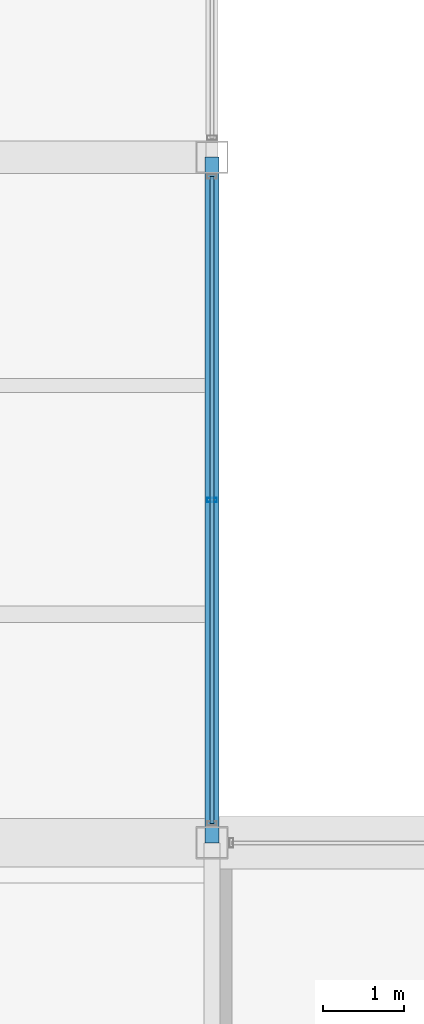
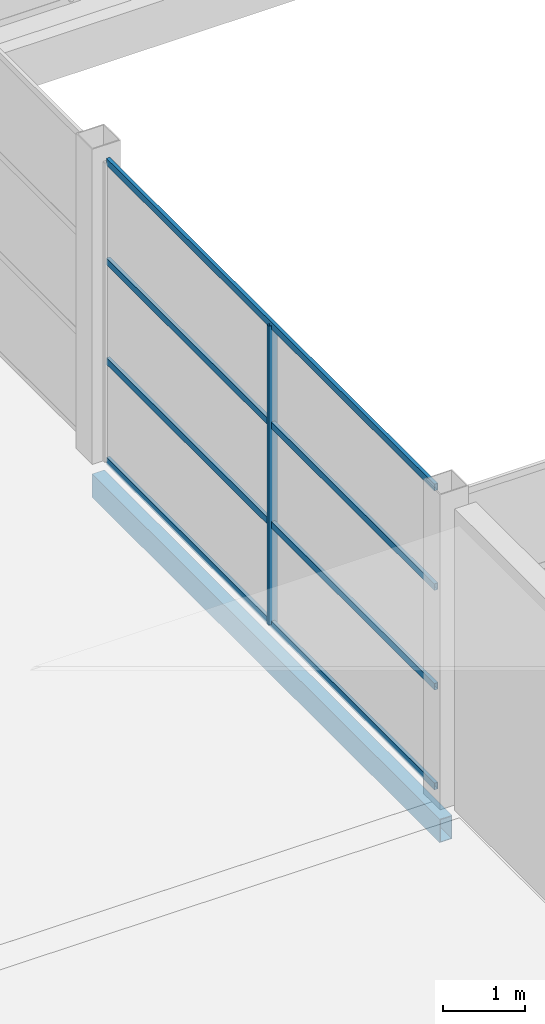
# One storey, part 66 of 112: 5 members, 1 beam, 1 element without a shape of its own.
"""IFC4 building model written with IfcOpenShell, lengths in metres."""

from ifc_helpers import new_model, si_unit, direction, frame, origin, origin_2d, place, context, subcontext, project, spatial, hollow_rectangle, extrude, material, material_profile, profile_set, type_object, element, aggregate, save


model = new_model("IFC4")

# Units and contexts
model_context = context("Model", 3, precision=1e-05, world=origin(), true_north=direction((0.0, 1.0)))
body_context = subcontext(model_context, "Body", "Model", "MODEL_VIEW")
ifc_project = project(units=[si_unit("LENGTHUNIT", "METRE"), si_unit("AREAUNIT", "SQUARE_METRE"), si_unit("VOLUMEUNIT", "CUBIC_METRE"), si_unit("PLANEANGLEUNIT", "RADIAN"), si_unit("MASSUNIT", "GRAM", prefix="KILO")], contexts=[model_context])

# Site, building, storey
site_placement = place(None, origin())
site = spatial("IfcSite", under=ifc_project, at=site_placement, CompositionType="ELEMENT")
building_placement = place(site_placement, origin())
building = spatial("IfcBuilding", under=site, at=building_placement, Name="Solvikara Media Centre", CompositionType="ELEMENT")
storey_placement = place(building_placement, frame((0.0, 0.0, 5.39990234375)))
storey = spatial("IfcBuildingStorey", under=building, at=storey_placement, Name="L01", CompositionType="ELEMENT", Elevation=5.39990234375)

# Beam
ifc_material_1 = material(Name="Steel S355JR", Category="steel")
ifc_material_profile_1 = material_profile(ifc_material_1, hollow_rectangle(XDim=0.175048828125, YDim=0.35009765625, WallThickness=0.010009765625, at=origin_2d()), Name="RHS 350x175x10")
ifc_profile_set_1 = profile_set([ifc_material_profile_1], Name="Steel S355JR")
beam_type = type_object("IfcBeamType", Name="BM-34", PredefinedType="SPANDREL", material=ifc_profile_set_1)
beam_placement = place(storey_placement, frame((136.5, 72.0, -0.476806640625), z_axis=(0.0, 1.0, 0.0), x_axis=(-1.0, 0.0, 0.0)))
element("IfcBeam", 1, at=beam_placement, inside=storey, type_object=beam_type, Name="B-L01-Y0616", PredefinedType="SPANDREL", context=body_context, shape_type="SweptSolid", body=[
    extrude(hollow_rectangle(XDim=0.175048828125, YDim=0.35009765625, WallThickness=0.010009765625, at=origin_2d()), origin(), (0.0, 0.0, 1.0), 8.5),
])

# Curtain wall, members
ifc_material_2 = material(Name="Anodised aluminium EN AW-6063", Category="aluminium")
curtain_wall_type = type_object("IfcCurtainWallType", Name="CW-12", PredefinedType="NOTDEFINED", material=ifc_material_2)
curtain_wall_placement = place(storey_placement, origin())
curtain_wall = element("IfcCurtainWall", 2, at=curtain_wall_placement, inside=storey, type_object=curtain_wall_type, Name="CW-L01-CRT-4-S2", PredefinedType="NOTDEFINED")
ifc_material_profile_2 = material_profile(ifc_material_2, hollow_rectangle(XDim=0.050048828125, YDim=0.1201171875, WallThickness=0.0029296875, at=origin_2d()), Name="ALU-M 50x120x3")
ifc_profile_set_2 = profile_set([ifc_material_profile_2], Name="Anodised aluminium EN AW-6063")
member_type_1 = type_object("IfcMemberType", Name="MF-06", PredefinedType="MULLION", material=ifc_profile_set_2)
member_1_placement = place(storey_placement, frame((136.5, 76.25, 0.02001953125), z_axis=(0.0, 0.0, 1.0), x_axis=(0.0, -1.0, 0.0)))
member_1 = element("IfcMember", 3, at=member_1_placement, type_object=member_type_1, Name="CW-L01-CRT-4-S2-M01", PredefinedType="MULLION", context=body_context, shape_type="SweptSolid", body=[
    extrude(hollow_rectangle(XDim=0.050048828125, YDim=0.1201171875, WallThickness=0.0029296875, at=origin_2d()), origin(), (0.0, 0.0, 1.0), 4.4599609375),
])
ifc_material_profile_3 = material_profile(ifc_material_2, hollow_rectangle(XDim=0.050048828125, YDim=0.10009765625, WallThickness=0.0029296875, at=origin_2d()), Name="ALU-T 50x100x3")
ifc_profile_set_3 = profile_set([ifc_material_profile_3], Name="Anodised aluminium EN AW-6063")
member_type_2 = type_object("IfcMemberType", Name="MF-12", PredefinedType="USERDEFINED", material=ifc_profile_set_3)
member_2_placement = place(storey_placement, frame((136.5, 80.260009765625, 0.02001953125), z_axis=(0.0, -1.0, 0.0), x_axis=(1.0, 0.0, 0.0)))
member_2 = element("IfcMember", 4, at=member_2_placement, type_object=member_type_2, Name="CW-L01-CRT-4-S2-T00", ObjectType="TRANSOM", PredefinedType="USERDEFINED", context=body_context, shape_type="SweptSolid", body=[
    extrude(hollow_rectangle(XDim=0.050048828125, YDim=0.10009765625, WallThickness=0.0029296875, at=origin_2d()), origin(), (0.0, 0.0, 1.0), 8.02001953125),
])
member_3_placement = place(storey_placement, frame((136.5, 80.260009765625, 1.507080078125), z_axis=(0.0, -1.0, 0.0), x_axis=(1.0, 0.0, 0.0)))
member_3 = element("IfcMember", 5, at=member_3_placement, type_object=member_type_2, Name="CW-L01-CRT-4-S2-T01", ObjectType="TRANSOM", PredefinedType="USERDEFINED", context=body_context, shape_type="SweptSolid", body=[
    extrude(hollow_rectangle(XDim=0.050048828125, YDim=0.10009765625, WallThickness=0.0029296875, at=origin_2d()), origin(), (0.0, 0.0, 1.0), 8.02001953125),
])
member_4_placement = place(storey_placement, frame((136.5, 80.260009765625, 2.9931640625), z_axis=(0.0, -1.0, 0.0), x_axis=(1.0, 0.0, 0.0)))
member_4 = element("IfcMember", 6, at=member_4_placement, type_object=member_type_2, Name="CW-L01-CRT-4-S2-T02", ObjectType="TRANSOM", PredefinedType="USERDEFINED", context=body_context, shape_type="SweptSolid", body=[
    extrude(hollow_rectangle(XDim=0.050048828125, YDim=0.10009765625, WallThickness=0.0029296875, at=origin_2d()), origin(), (0.0, 0.0, 1.0), 8.02001953125),
])
member_5_placement = place(storey_placement, frame((136.5, 80.260009765625, 4.47998046875), z_axis=(0.0, -1.0, 0.0), x_axis=(1.0, 0.0, 0.0)))
member_5 = element("IfcMember", 7, at=member_5_placement, type_object=member_type_2, Name="CW-L01-CRT-4-S2-T03", ObjectType="TRANSOM", PredefinedType="USERDEFINED", context=body_context, shape_type="SweptSolid", body=[
    extrude(hollow_rectangle(XDim=0.050048828125, YDim=0.10009765625, WallThickness=0.0029296875, at=origin_2d()), origin(), (0.0, 0.0, 1.0), 8.02001953125),
])
aggregate(curtain_wall, [member_1, member_2, member_3, member_4, member_5])

save(model, "model.ifc")
